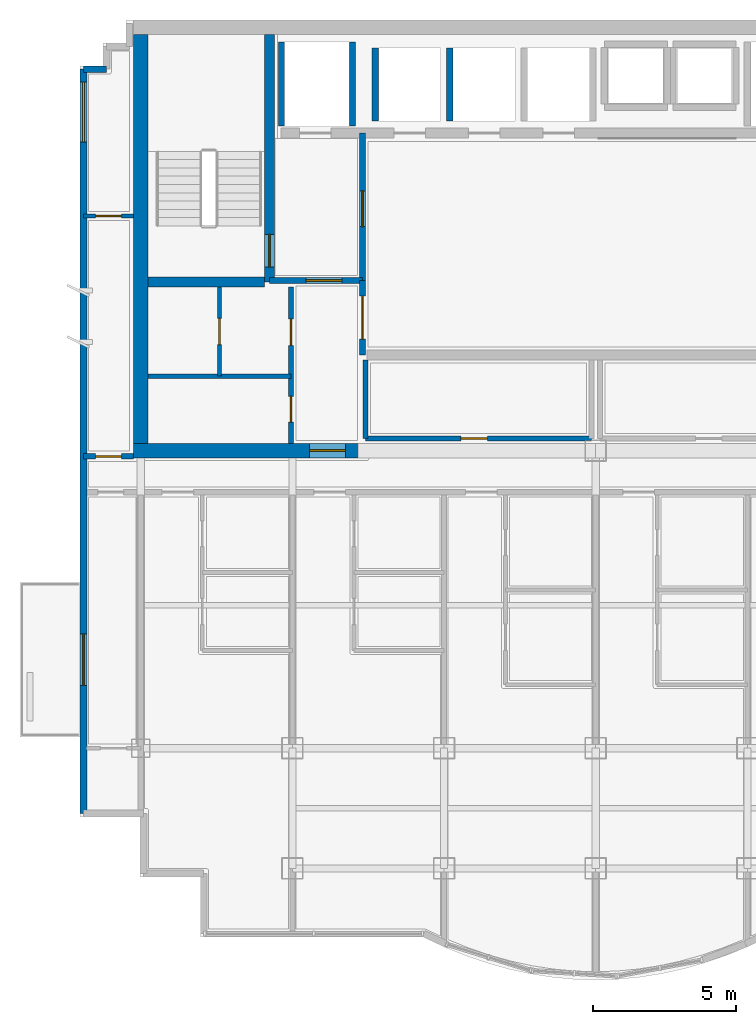
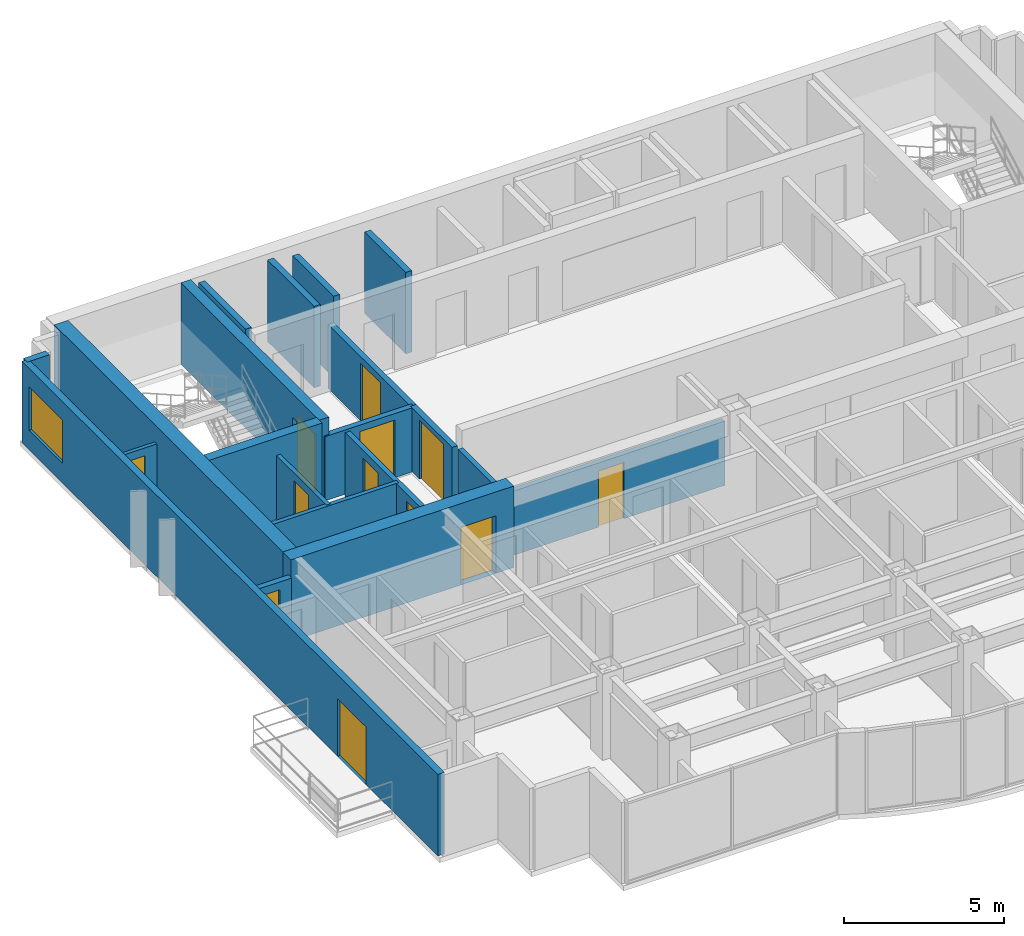
# One storey, part 4 of 9: 20 walls, 12 doors, 1 window, 13 openings.
"""IFC4 building model written with IfcOpenShell, lengths in metres."""

from ifc_helpers import new_model, si_unit, direction, frame, frame_2d, origin, place, context, subcontext, project, spatial, rectangle, extrude, material, layer, layer_set, type_object, element, fill, save


model = new_model("IFC4")

# Units and contexts
model_context = context("Model", 3, precision=1e-05, world=origin(), true_north=direction((0.0, 1.0)))
body_context = subcontext(model_context, "Body", "Model", "MODEL_VIEW")
ifc_project = project(units=[si_unit("LENGTHUNIT", "METRE"), si_unit("AREAUNIT", "SQUARE_METRE"), si_unit("VOLUMEUNIT", "CUBIC_METRE"), si_unit("PLANEANGLEUNIT", "RADIAN"), si_unit("MASSUNIT", "GRAM", prefix="KILO")], contexts=[model_context])

# Site, building, storey
site_placement = place(None, origin())
site = spatial("IfcSite", under=ifc_project, at=site_placement, CompositionType="ELEMENT")
building_placement = place(site_placement, origin())
building = spatial("IfcBuilding", under=site, at=building_placement, Name="Qianlan Lanfeng Residences", CompositionType="ELEMENT")
storey_placement = place(building_placement, frame((0.0, 0.0, 233.0)))
storey = spatial("IfcBuildingStorey", under=building, at=storey_placement, Name="L64", CompositionType="ELEMENT", Elevation=233.0)

# Wall, opening, door
ifc_material_1 = material(Name="Concrete C49", Category="concrete")
ifc_layer_1 = layer(ifc_material_1, 0.35009765625)
ifc_layer_set_1 = layer_set([ifc_layer_1], Name="Concrete C49")
wall_type_1 = type_object("IfcWallType", Name="CW-RC-350", PredefinedType="SHEAR", material=ifc_layer_set_1)
wall_1_placement = place(storey_placement, frame((15.10009765625, 31.10009765625, 0.0), z_axis=(0.0, 0.0, 1.0), x_axis=(0.0, 1.0, 0.0)))
wall_1 = element("IfcWall", 1, at=wall_1_placement, inside=storey, type_object=wall_type_1, Name="L64 Core Shear Wall ST1E", PredefinedType="SHEAR", context=body_context, shape_type="SweptSolid", body=[
    extrude(rectangle(XDim=8.64990234375, YDim=0.35009765625, at=frame_2d((4.324951171875, 0.0))), origin(), (0.0, 0.0, 1.0), 3.110107421875),
])
opening_1_placement = place(wall_1_placement, frame((0.510009765625, 0.0, 0.0)))
opening_1 = element("IfcOpeningElement", 2, at=opening_1_placement, cuts=wall_1, Name="Opening L64-D07", PredefinedType="OPENING", context=body_context, shape_type="SweptSolid", body=[
    extrude(rectangle(XDim=1.14990234375, YDim=2.199951171875, at=frame_2d((0.574951171875, 1.10009765625))), frame((0.0, 0.18505859375, 0.0), z_axis=(0.0, -1.0, 0.0), x_axis=(1.0, 0.0, 0.0)), (0.0, 0.0, 1.0), 0.3701171875),
])
ifc_material_2 = material(Name="Painted Galvanised Steel Fire Door", Category="steel")
door_type_1 = type_object("IfcDoorType", Name="DT-ST1", OperationType="NOTDEFINED", PredefinedType="DOOR", material=ifc_material_2)
door_1_placement = place(opening_1_placement, frame((1.14990234375, 0.0, 0.0), z_axis=(0.0, 0.0, 1.0), x_axis=(-1.0, 0.0, 0.0)))
door_1 = element("IfcDoor", 3, at=door_1_placement, inside=storey, type_object=door_type_1, Name="L64 Exit Stair ST-1 Door L64-D07 (DT-ST1)", OperationType="SINGLE_SWING_RIGHT", OverallHeight=2.199951171875, OverallWidth=1.14990234375, PredefinedType="DOOR", context=body_context, shape_type="SweptSolid", body=[
    extrude(rectangle(XDim=1.14990234375, YDim=2.199951171875, at=frame_2d((0.574951171875, 1.10009765625))), frame((0.0, 0.02490234375, 0.0), z_axis=(0.0, -1.0, 0.0), x_axis=(1.0, 0.0, 0.0)), (0.0, 0.0, 1.0), 0.050048828125),
])
fill(opening_1, door_1)

# Walls
wall_2_placement = place(storey_placement, frame((10.85009765625, 31.10009765625, 0.0), z_axis=(0.0, 0.0, 1.0), x_axis=(1.0, 0.0, 0.0)))
element("IfcWall", 4, at=wall_2_placement, inside=storey, type_object=wall_type_1, Name="L64 Core Shear Wall ST1S", PredefinedType="SHEAR", context=body_context, shape_type="SweptSolid", body=[
    extrude(rectangle(XDim=4.074951171875, YDim=0.35009765625, at=frame_2d((2.03759765625, 0.0))), origin(), (0.0, 0.0, 1.0), 3.110107421875),
])
ifc_material_3 = material(Name="Concrete C70", Category="concrete")
ifc_layer_2 = layer(ifc_material_3, 0.5)
ifc_layer_set_2 = layer_set([ifc_layer_2], Name="Concrete C70")
wall_type_2 = type_object("IfcWallType", Name="CW-RC-500", PredefinedType="SHEAR", material=ifc_layer_set_2)
wall_3_placement = place(storey_placement, frame((10.60009765625, 25.449951171875, 0.0), z_axis=(0.0, 0.0, 1.0), x_axis=(0.0, 1.0, 0.0)))
element("IfcWall", 5, at=wall_3_placement, inside=storey, type_object=wall_type_2, Name="L64 Core Shear Wall W", PredefinedType="SHEAR", context=body_context, shape_type="SweptSolid", body=[
    extrude(rectangle(XDim=14.300048828125, YDim=0.5, at=frame_2d((7.14990234375, 0.0))), origin(), (0.0, 0.0, 1.0), 3.110107421875),
])

# Wall, opening, door
wall_4_placement = place(storey_placement, frame((10.35009765625, 25.199951171875, 0.0), z_axis=(0.0, 0.0, 1.0), x_axis=(1.0, 0.0, 0.0)))
wall_4 = element("IfcWall", 6, at=wall_4_placement, inside=storey, type_object=wall_type_2, Name="L64 Core Shear Wall SW", PredefinedType="SHEAR", context=body_context, shape_type="SweptSolid", body=[
    extrude(rectangle(XDim=8.0498046875, YDim=0.5, at=frame_2d((4.02490234375, 0.0))), origin(), (0.0, 0.0, 1.0), 3.110107421875),
])
opening_2_placement = place(wall_4_placement, frame((6.14990234375, 0.0, 0.0)))
opening_2 = element("IfcOpeningElement", 7, at=opening_2_placement, cuts=wall_4, Name="Opening L64-D01", PredefinedType="OPENING", context=body_context, shape_type="SweptSolid", body=[
    extrude(rectangle(XDim=1.25, YDim=2.199951171875, at=frame_2d((0.625, 1.10009765625))), frame((0.0, 0.260009765625, 0.0), z_axis=(0.0, -1.0, 0.0), x_axis=(1.0, 0.0, 0.0)), (0.0, 0.0, 1.0), 0.52001953125),
])
door_type_2 = type_object("IfcDoorType", Name="DT-FFL", OperationType="NOTDEFINED", PredefinedType="DOOR", material=ifc_material_2)
door_2_placement = place(opening_2_placement, frame((1.25, 0.0, 0.0), z_axis=(0.0, 0.0, 1.0), x_axis=(-1.0, 0.0, 0.0)))
door_2 = element("IfcDoor", 8, at=door_2_placement, inside=storey, type_object=door_type_2, Name="L64 West Core Lobby Smoke Door L64-D01 (DT-FFL)", OperationType="SINGLE_SWING_RIGHT", OverallHeight=2.199951171875, OverallWidth=1.25, PredefinedType="DOOR", context=body_context, shape_type="SweptSolid", body=[
    extrude(rectangle(XDim=1.25, YDim=2.199951171875, at=frame_2d((0.625, 1.10009765625))), frame((0.0, 0.02490234375, 0.0), z_axis=(0.0, -1.0, 0.0), x_axis=(1.0, 0.0, 0.0)), (0.0, 0.0, 1.0), 0.050048828125),
])
fill(opening_2, door_2)

# Wall
ifc_material_4 = material(Name="Concrete C42", Category="concrete")
ifc_layer_3 = layer(ifc_material_4, 0.239990234375)
ifc_layer_set_3 = layer_set([ifc_layer_3], Name="Concrete C42")
wall_type_3 = type_object("IfcWallType", Name="EW-240", PredefinedType="SOLIDWALL", material=ifc_layer_set_3)
wall_5_placement = place(storey_placement, frame((9.39990234375, 38.530029296875, 0.0), z_axis=(0.0, 0.0, 1.0), x_axis=(-1.0, 0.0, 0.0)))
element("IfcWall", 9, at=wall_5_placement, inside=storey, type_object=wall_type_3, Name="L64 Exterior Facade Spandrel Wall 20", PredefinedType="SOLIDWALL", context=body_context, shape_type="SweptSolid", body=[
    extrude(rectangle(XDim=0.7998046875, YDim=0.239990234375, at=frame_2d((0.39990234375, 0.0))), origin(), (0.0, 0.0, 1.0), 3.110107421875),
])

# Wall, openings, door, window
wall_6_placement = place(storey_placement, frame((8.60009765625, 38.530029296875, 0.0), z_axis=(0.0, 0.0, 1.0), x_axis=(0.0, -1.0, 0.0)))
wall_6 = element("IfcWall", 10, at=wall_6_placement, inside=storey, type_object=wall_type_3, Name="L64 Terrace/Balcony Access Exterior Wall 21", PredefinedType="SOLIDWALL", context=body_context, shape_type="SweptSolid", body=[
    extrude(rectangle(XDim=26.010009765625, YDim=0.239990234375, at=frame_2d((13.0048828125, 0.0))), origin(), (0.0, 0.0, 1.0), 3.110107421875),
])
opening_3_placement = place(wall_6_placement, frame((19.72998046875, 0.0, 0.0)))
opening_3 = element("IfcOpeningElement", 11, at=opening_3_placement, cuts=wall_6, Name="Opening L64-D-WB-S", PredefinedType="OPENING", context=body_context, shape_type="SweptSolid", body=[
    extrude(rectangle(XDim=1.800048828125, YDim=2.199951171875, at=frame_2d((0.89990234375, 1.10009765625))), frame((0.0, 0.1298828125, 0.0), z_axis=(0.0, -1.0, 0.0), x_axis=(1.0, 0.0, 0.0)), (0.0, 0.0, 1.0), 0.260009765625),
])
opening_4_placement = place(wall_6_placement, frame((0.449951171875, 0.0, 0.75)))
opening_4 = element("IfcOpeningElement", 12, at=opening_4_placement, cuts=wall_6, Name="Opening W-06", PredefinedType="OPENING", context=body_context, shape_type="SweptSolid", body=[
    extrude(rectangle(XDim=2.10009765625, YDim=1.64990234375, at=frame_2d((1.050048828125, 0.824951171875))), frame((0.0, 0.1298828125, 0.0), z_axis=(0.0, -1.0, 0.0), x_axis=(1.0, 0.0, 0.0)), (0.0, 0.0, 1.0), 0.260009765625),
])
ifc_material_5 = material(Name="Anodised Bronze Aluminium Framed Glass", Category="aluminium")
door_type_3 = type_object("IfcDoorType", Name="DT-BAL1", OperationType="NOTDEFINED", PredefinedType="DOOR", material=ifc_material_5)
door_3_placement = place(opening_3_placement, frame((1.800048828125, 0.0, 0.0), z_axis=(0.0, 0.0, 1.0), x_axis=(-1.0, 0.0, 0.0)))
door_3 = element("IfcDoor", 13, at=door_3_placement, inside=storey, type_object=door_type_3, Name="L64 Exterior Access Door WB-S", OperationType="DOUBLE_DOOR_SLIDING", OverallHeight=2.199951171875, OverallWidth=1.800048828125, PredefinedType="DOOR", context=body_context, shape_type="SweptSolid", body=[
    extrude(rectangle(XDim=1.800048828125, YDim=2.199951171875, at=frame_2d((0.89990234375, 1.10009765625))), frame((0.0, 0.02490234375, 0.0), z_axis=(0.0, -1.0, 0.0), x_axis=(1.0, 0.0, 0.0)), (0.0, 0.0, 1.0), 0.050048828125),
])
fill(opening_3, door_3)
ifc_material_6 = material(Name="Anodised Bronze Aluminium Framed Double Glazing", Category="aluminium")
window_type = type_object("IfcWindowType", Name="W-06", PartitioningType="SINGLE_PANEL", PredefinedType="WINDOW", material=ifc_material_6)
window_placement = place(opening_4_placement, origin())
window = element("IfcWindow", 14, at=window_placement, inside=storey, type_object=window_type, Name="L64 Exterior Window W-06", OverallHeight=1.64990234375, OverallWidth=2.10009765625, PartitioningType="SINGLE_PANEL", PredefinedType="WINDOW", context=body_context, shape_type="SweptSolid", body=[
    extrude(rectangle(XDim=2.10009765625, YDim=1.64990234375, at=frame_2d((1.050048828125, 0.824951171875))), frame((0.0, 0.030029296875, 0.0), z_axis=(0.0, -1.0, 0.0), x_axis=(1.0, 0.0, 0.0)), (0.0, 0.0, 1.0), 0.06005859375),
])
fill(opening_4, window)

# Wall, opening, door
ifc_material_7 = material(Name="Moisture-Resistant Gypsum Partition 135 mm")
ifc_layer_4 = layer(ifc_material_7, 0.135009765625)
ifc_layer_set_4 = layer_set([ifc_layer_4], Name="Moisture-Resistant Gypsum Partition 135 mm")
wall_type_4 = type_object("IfcWallType", Name="PW-135", PredefinedType="PARTITIONING", material=ifc_layer_set_4)
wall_7_placement = place(storey_placement, frame((8.60009765625, 33.39990234375, 0.0), z_axis=(0.0, 0.0, 1.0), x_axis=(1.0, 0.0, 0.0)))
wall_7 = element("IfcWall", 15, at=wall_7_placement, inside=storey, type_object=wall_type_4, Name="L64 WW North Wing Wall", PredefinedType="PARTITIONING", context=body_context, shape_type="SweptSolid", body=[
    extrude(rectangle(XDim=1.75, YDim=0.135009765625, at=frame_2d((0.875, 0.0))), origin(), (0.0, 0.0, 1.0), 2.449951171875),
])
opening_5_placement = place(wall_7_placement, frame((0.425048828125, 0.0, 0.0)))
opening_5 = element("IfcOpeningElement", 16, at=opening_5_placement, cuts=wall_7, Name="Opening L64-D40", PredefinedType="OPENING", context=body_context, shape_type="SweptSolid", body=[
    extrude(rectangle(XDim=0.89990234375, YDim=2.14990234375, at=frame_2d((0.449951171875, 1.074951171875))), frame((0.0, 0.07763671875, 0.0), z_axis=(0.0, -1.0, 0.0), x_axis=(1.0, 0.0, 0.0)), (0.0, 0.0, 1.0), 0.155029296875),
])
ifc_material_8 = material(Name="Moisture-Resistant Timber Leaf", Category="wood")
door_type_4 = type_object("IfcDoorType", Name="DT-WC", OperationType="NOTDEFINED", PredefinedType="DOOR", material=ifc_material_8)
door_4_placement = place(opening_5_placement, origin())
door_4 = element("IfcDoor", 17, at=door_4_placement, inside=storey, type_object=door_type_4, Name="L64 WW Inner Salon Door L64-D40 (DT-WC)", OperationType="SINGLE_SWING_LEFT", OverallHeight=2.14990234375, OverallWidth=0.89990234375, PredefinedType="DOOR", context=body_context, shape_type="SweptSolid", body=[
    extrude(rectangle(XDim=0.89990234375, YDim=2.14990234375, at=frame_2d((0.449951171875, 1.074951171875))), frame((0.0, 0.02490234375, 0.0), z_axis=(0.0, -1.0, 0.0), x_axis=(1.0, 0.0, 0.0)), (0.0, 0.0, 1.0), 0.050048828125),
])
fill(opening_5, door_4)

# Wall
ifc_material_9 = material(Name="Acoustic Drywall Partition 150 mm")
ifc_layer_5 = layer(ifc_material_9, 0.14990234375)
ifc_layer_set_5 = layer_set([ifc_layer_5], Name="Acoustic Drywall Partition 150 mm")
wall_type_5 = type_object("IfcWallType", Name="PW-150", PredefinedType="PARTITIONING", material=ifc_layer_set_5)
wall_8_placement = place(storey_placement, frame((10.85009765625, 27.800048828125, 0.0), z_axis=(0.0, 0.0, 1.0), x_axis=(1.0, 0.0, 0.0)))
element("IfcWall", 18, at=wall_8_placement, inside=storey, type_object=wall_type_5, Name="L64 Core West H4", PredefinedType="PARTITIONING", context=body_context, shape_type="SweptSolid", body=[
    extrude(rectangle(XDim=5.0, YDim=0.14990234375, at=frame_2d((2.5, 0.0))), origin(), (0.0, 0.0, 1.0), 2.449951171875),
])

# Wall, opening, door
wall_9_placement = place(storey_placement, frame((13.35009765625, 27.800048828125, 0.0), z_axis=(0.0, 0.0, 1.0), x_axis=(0.0, 1.0, 0.0)))
wall_9 = element("IfcWall", 19, at=wall_9_placement, inside=storey, type_object=wall_type_5, Name="L64 Core West V4", PredefinedType="PARTITIONING", context=body_context, shape_type="SweptSolid", body=[
    extrude(rectangle(XDim=3.125, YDim=0.14990234375, at=frame_2d((1.5625, 0.0))), origin(), (0.0, 0.0, 1.0), 2.449951171875),
])
opening_6_placement = place(wall_9_placement, frame((1.10302734375, 0.0, 0.0)))
opening_6 = element("IfcOpeningElement", 20, at=opening_6_placement, cuts=wall_9, Name="Opening L64-D11", PredefinedType="OPENING", context=body_context, shape_type="SweptSolid", body=[
    extrude(rectangle(XDim=0.919921875, YDim=2.14990234375, at=frame_2d((0.4599609375, 1.074951171875))), frame((0.0, 0.0849609375, 0.0), z_axis=(0.0, -1.0, 0.0), x_axis=(1.0, 0.0, 0.0)), (0.0, 0.0, 1.0), 0.169921875),
])
ifc_material_10 = material(Name="Glazed Timber Kitchen/Study Door", Category="wood")
door_type_5 = type_object("IfcDoorType", Name="DT-INT", OperationType="NOTDEFINED", PredefinedType="DOOR", material=ifc_material_10)
door_5_placement = place(opening_6_placement, origin())
door_5 = element("IfcDoor", 21, at=door_5_placement, inside=storey, type_object=door_type_5, Name="L64 Linen Store Door L64-D11 (DT-INT)", OperationType="SINGLE_SWING_LEFT", OverallHeight=2.14990234375, OverallWidth=0.919921875, PredefinedType="DOOR", context=body_context, shape_type="SweptSolid", body=[
    extrude(rectangle(XDim=0.919921875, YDim=2.14990234375, at=frame_2d((0.4599609375, 1.074951171875))), frame((0.0, 0.02490234375, 0.0), z_axis=(0.0, -1.0, 0.0), x_axis=(1.0, 0.0, 0.0)), (0.0, 0.0, 1.0), 0.050048828125),
])
fill(opening_6, door_5)

# Wall, openings, doors
ifc_material_11 = material(Name="Double-Layer Acoustic Gypsum Stud Wall 180 mm")
ifc_layer_6 = layer(ifc_material_11, 0.179931640625)
ifc_layer_set_6 = layer_set([ifc_layer_6], Name="Double-Layer Acoustic Gypsum Stud Wall 180 mm")
wall_type_6 = type_object("IfcWallType", Name="PW-180", PredefinedType="PARTITIONING", material=ifc_layer_set_6)
wall_10_placement = place(storey_placement, frame((15.85009765625, 25.449951171875, 0.0), z_axis=(0.0, 0.0, 1.0), x_axis=(0.0, 1.0, 0.0)))
wall_10 = element("IfcWall", 22, at=wall_10_placement, inside=storey, type_object=wall_type_6, Name="L64 Core West Service Room Wall", PredefinedType="PARTITIONING", context=body_context, shape_type="SweptSolid", body=[
    extrude(rectangle(XDim=5.47509765625, YDim=0.179931640625, at=frame_2d((2.737548828125, 0.0))), origin(), (0.0, 0.0, 1.0), 2.449951171875),
])
opening_7_placement = place(wall_10_placement, frame((0.75, 0.0, 0.0)))
opening_7 = element("IfcOpeningElement", 23, at=opening_7_placement, cuts=wall_10, Name="Opening L64-D09", PredefinedType="OPENING", context=body_context, shape_type="SweptSolid", body=[
    extrude(rectangle(XDim=0.89990234375, YDim=2.14990234375, at=frame_2d((0.449951171875, 1.074951171875))), frame((0.0, 0.10009765625, 0.0), z_axis=(0.0, -1.0, 0.0), x_axis=(1.0, 0.0, 0.0)), (0.0, 0.0, 1.0), 0.199951171875),
])
opening_8_placement = place(wall_10_placement, frame((3.427001953125, 0.0, 0.0)))
opening_8 = element("IfcOpeningElement", 24, at=opening_8_placement, cuts=wall_10, Name="Opening L64-D10", PredefinedType="OPENING", context=body_context, shape_type="SweptSolid", body=[
    extrude(rectangle(XDim=0.919921875, YDim=2.14990234375, at=frame_2d((0.4599609375, 1.074951171875))), frame((0.0, 0.10009765625, 0.0), z_axis=(0.0, -1.0, 0.0), x_axis=(1.0, 0.0, 0.0)), (0.0, 0.0, 1.0), 0.199951171875),
])
door_6_placement = place(opening_8_placement, origin())
door_6 = element("IfcDoor", 25, at=door_6_placement, inside=storey, type_object=door_type_5, Name="L64 Janitor Hall Door L64-D10 (DT-INT)", OperationType="SINGLE_SWING_RIGHT", OverallHeight=2.14990234375, OverallWidth=0.919921875, PredefinedType="DOOR", context=body_context, shape_type="SweptSolid", body=[
    extrude(rectangle(XDim=0.919921875, YDim=2.14990234375, at=frame_2d((0.4599609375, 1.074951171875))), frame((0.0, 0.02490234375, 0.0), z_axis=(0.0, -1.0, 0.0), x_axis=(1.0, 0.0, 0.0)), (0.0, 0.0, 1.0), 0.050048828125),
])
fill(opening_8, door_6)
door_7_placement = place(opening_7_placement, origin())
door_7 = element("IfcDoor", 26, at=door_7_placement, inside=storey, type_object=door_type_4, Name="L64 Staff WC Door L64-D09 (DT-WC)", OperationType="SINGLE_SWING_LEFT", OverallHeight=2.14990234375, OverallWidth=0.89990234375, PredefinedType="DOOR", context=body_context, shape_type="SweptSolid", body=[
    extrude(rectangle(XDim=0.89990234375, YDim=2.14990234375, at=frame_2d((0.449951171875, 1.074951171875))), frame((0.0, 0.02490234375, 0.0), z_axis=(0.0, -1.0, 0.0), x_axis=(1.0, 0.0, 0.0)), (0.0, 0.0, 1.0), 0.050048828125),
])
fill(opening_7, door_7)

# Wall
wall_11_placement = place(storey_placement, frame((18.449951171875, 25.6201171875, 0.0), z_axis=(0.0, 0.0, 1.0), x_axis=(0.0, 1.0, 0.0)))
element("IfcWall", 27, at=wall_11_placement, inside=storey, type_object=wall_type_6, Name="L64 Reclaimed Low-Bank Room West Wall", PredefinedType="PARTITIONING", context=body_context, shape_type="SweptSolid", body=[
    extrude(rectangle(XDim=2.7548828125, YDim=0.179931640625, at=frame_2d((1.37744140625, 0.0))), origin(), (0.0, 0.0, 1.0), 2.449951171875),
])

# Wall, opening, door
wall_12_placement = place(storey_placement, frame((18.449951171875, 25.6201171875, 0.0), z_axis=(0.0, 0.0, 1.0), x_axis=(1.0, 0.0, 0.0)))
wall_12 = element("IfcWall", 28, at=wall_12_placement, inside=storey, type_object=wall_type_6, Name="L64 Reclaimed Low-Bank Room South Wall", PredefinedType="PARTITIONING", context=body_context, shape_type="SweptSolid", body=[
    extrude(rectangle(XDim=7.900146484375, YDim=0.179931640625, at=frame_2d((3.9501953125, 0.0))), origin(), (0.0, 0.0, 1.0), 2.449951171875),
])
opening_9_placement = place(wall_12_placement, frame((3.340087890625, 0.0, 0.0)))
opening_9 = element("IfcOpeningElement", 29, at=opening_9_placement, cuts=wall_12, Name="Opening L64-D16", PredefinedType="OPENING", context=body_context, shape_type="SweptSolid", body=[
    extrude(rectangle(XDim=0.919921875, YDim=2.14990234375, at=frame_2d((0.4599609375, 1.074951171875))), frame((0.0, 0.10009765625, 0.0), z_axis=(0.0, -1.0, 0.0), x_axis=(1.0, 0.0, 0.0)), (0.0, 0.0, 1.0), 0.199951171875),
])
door_8_placement = place(opening_9_placement, origin())
door_8 = element("IfcDoor", 30, at=door_8_placement, inside=storey, type_object=door_type_5, Name="L64 Reclaimed Core Salon Door L64-D16 (DT-INT)", OperationType="SINGLE_SWING_RIGHT", OverallHeight=2.14990234375, OverallWidth=0.919921875, PredefinedType="DOOR", context=body_context, shape_type="SweptSolid", body=[
    extrude(rectangle(XDim=0.919921875, YDim=2.14990234375, at=frame_2d((0.4599609375, 1.074951171875))), frame((0.0, 0.02490234375, 0.0), z_axis=(0.0, -1.0, 0.0), x_axis=(1.0, 0.0, 0.0)), (0.0, 0.0, 1.0), 0.050048828125),
])
fill(opening_9, door_8)

ifc_material_12 = material(Name="Autoclaved Aerated Concrete Blockwork 200 mm", Category="masonry")
ifc_layer_7 = layer(ifc_material_12, 0.199951171875)
ifc_layer_set_7 = layer_set([ifc_layer_7], Name="Autoclaved Aerated Concrete Blockwork 200 mm")
wall_type_7 = type_object("IfcWallType", Name="PW-200", PredefinedType="PARTITIONING", material=ifc_layer_set_7)
wall_13_placement = place(storey_placement, frame((15.10009765625, 31.14990234375, 0.0), z_axis=(0.0, 0.0, 1.0), x_axis=(1.0, 0.0, 0.0)))
wall_13 = element("IfcWall", 31, at=wall_13_placement, inside=storey, type_object=wall_type_7, Name="L64 Firefighting Lobby 1 South Wall", PredefinedType="PARTITIONING", context=body_context, shape_type="SweptSolid", body=[
    extrude(rectangle(XDim=3.25, YDim=0.199951171875, at=frame_2d((1.625, 0.0))), origin(), (0.0, 0.0, 1.0), 2.449951171875),
])
opening_10_placement = place(wall_13_placement, frame((1.27490234375, 0.0, 0.0)))
opening_10 = element("IfcOpeningElement", 32, at=opening_10_placement, cuts=wall_13, Name="Opening L64-D03", PredefinedType="OPENING", context=body_context, shape_type="SweptSolid", body=[
    extrude(rectangle(XDim=1.25, YDim=2.199951171875, at=frame_2d((0.625, 1.10009765625))), frame((0.0, 0.10986328125, 0.0), z_axis=(0.0, -1.0, 0.0), x_axis=(1.0, 0.0, 0.0)), (0.0, 0.0, 1.0), 0.219970703125),
])
door_9_placement = place(opening_10_placement, origin())
door_9 = element("IfcDoor", 33, at=door_9_placement, inside=storey, type_object=door_type_2, Name="L64 Firefighting Lobby 1 Entry Door L64-D03 (DT-FFL)", OperationType="SINGLE_SWING_LEFT", OverallHeight=2.199951171875, OverallWidth=1.25, PredefinedType="DOOR", context=body_context, shape_type="SweptSolid", body=[
    extrude(rectangle(XDim=1.25, YDim=2.199951171875, at=frame_2d((0.625, 1.10009765625))), frame((0.0, 0.02490234375, 0.0), z_axis=(0.0, -1.0, 0.0), x_axis=(1.0, 0.0, 0.0)), (0.0, 0.0, 1.0), 0.050048828125),
])
fill(opening_10, door_9)

wall_14_placement = place(storey_placement, frame((18.35009765625, 31.14990234375, 0.0), z_axis=(0.0, 0.0, 1.0), x_axis=(0.0, 1.0, 0.0)))
wall_14 = element("IfcWall", 34, at=wall_14_placement, inside=storey, type_object=wall_type_7, Name="L64 Firefighting Lobby 1 East Wall", PredefinedType="PARTITIONING", context=body_context, shape_type="SweptSolid", body=[
    extrude(rectangle(XDim=5.150146484375, YDim=0.199951171875, at=frame_2d((2.5751953125, 0.0))), origin(), (0.0, 0.0, 1.0), 2.449951171875),
])
opening_11_placement = place(wall_14_placement, frame((1.875, 0.0, 0.0)))
opening_11 = element("IfcOpeningElement", 35, at=opening_11_placement, cuts=wall_14, Name="Opening L64-D04", PredefinedType="OPENING", context=body_context, shape_type="SweptSolid", body=[
    extrude(rectangle(XDim=1.25, YDim=2.199951171875, at=frame_2d((0.625, 1.10009765625))), frame((0.0, 0.10986328125, 0.0), z_axis=(0.0, -1.0, 0.0), x_axis=(1.0, 0.0, 0.0)), (0.0, 0.0, 1.0), 0.219970703125),
])
door_10_placement = place(opening_11_placement, origin())
door_10 = element("IfcDoor", 36, at=door_10_placement, inside=storey, type_object=door_type_2, Name="L64 Firefighting Lobby 1 Lift Lobby Door L64-D04 (DT-FFL)", OperationType="SINGLE_SWING_RIGHT", OverallHeight=2.199951171875, OverallWidth=1.25, PredefinedType="DOOR", context=body_context, shape_type="SweptSolid", body=[
    extrude(rectangle(XDim=1.25, YDim=2.199951171875, at=frame_2d((0.625, 1.10009765625))), frame((0.0, 0.02490234375, 0.0), z_axis=(0.0, -1.0, 0.0), x_axis=(1.0, 0.0, 0.0)), (0.0, 0.0, 1.0), 0.050048828125),
])
fill(opening_11, door_10)

wall_15_placement = place(storey_placement, frame((18.35009765625, 28.550048828125, 0.0), z_axis=(0.0, 0.0, 1.0), x_axis=(0.0, 1.0, 0.0)))
wall_15 = element("IfcWall", 37, at=wall_15_placement, inside=storey, type_object=wall_type_7, Name="L64 Lift Lobby West Connector Wall", PredefinedType="PARTITIONING", context=body_context, shape_type="SweptSolid", body=[
    extrude(rectangle(XDim=2.599853515625, YDim=0.199951171875, at=frame_2d((1.2998046875, 0.0))), origin(), (0.0, 0.0, 1.0), 2.449951171875),
])
opening_12_placement = place(wall_15_placement, frame((0.550048828125, 0.0, 0.0)))
opening_12 = element("IfcOpeningElement", 38, at=opening_12_placement, cuts=wall_15, Name="Opening L64-D14", PredefinedType="OPENING", context=body_context, shape_type="SweptSolid", body=[
    extrude(rectangle(XDim=1.5, YDim=2.25, at=frame_2d((0.75, 1.125))), frame((0.0, 0.10986328125, 0.0), z_axis=(0.0, -1.0, 0.0), x_axis=(1.0, 0.0, 0.0)), (0.0, 0.0, 1.0), 0.219970703125),
])
ifc_material_13 = material(Name="Timber Veneer Acoustic Fire Door", Category="wood")
door_type_6 = type_object("IfcDoorType", Name="DT-COR1", OperationType="NOTDEFINED", PredefinedType="DOOR", material=ifc_material_13)
door_11_placement = place(opening_12_placement, origin())
door_11 = element("IfcDoor", 39, at=door_11_placement, inside=storey, type_object=door_type_6, Name="L64 Lift Lobby West Portal Door L64-D14 (DT-COR1)", OperationType="DOUBLE_DOOR_SINGLE_SWING", OverallHeight=2.25, OverallWidth=1.5, PredefinedType="DOOR", context=body_context, shape_type="SweptSolid", body=[
    extrude(rectangle(XDim=1.5, YDim=2.25, at=frame_2d((0.75, 1.125))), frame((0.0, 0.02490234375, 0.0), z_axis=(0.0, -1.0, 0.0), x_axis=(1.0, 0.0, 0.0)), (0.0, 0.0, 1.0), 0.050048828125),
])
fill(opening_12, door_11)

wall_16_placement = place(storey_placement, frame((8.60009765625, 25.0, 0.0), z_axis=(0.0, 0.0, 1.0), x_axis=(1.0, 0.0, 0.0)))
wall_16 = element("IfcWall", 40, at=wall_16_placement, inside=storey, type_object=wall_type_7, Name="L64 Corridor NW Wall", PredefinedType="PARTITIONING", context=body_context, shape_type="SweptSolid", body=[
    extrude(rectangle(XDim=1.75, YDim=0.199951171875, at=frame_2d((0.875, 0.0))), origin(), (0.0, 0.0, 1.0), 2.449951171875),
])
opening_13_placement = place(wall_16_placement, frame((0.425048828125, 0.0, 0.0)))
opening_13 = element("IfcOpeningElement", 41, at=opening_13_placement, cuts=wall_16, Name="Opening L64-D41", PredefinedType="OPENING", context=body_context, shape_type="SweptSolid", body=[
    extrude(rectangle(XDim=0.89990234375, YDim=2.14990234375, at=frame_2d((0.449951171875, 1.074951171875))), frame((0.0, 0.10986328125, 0.0), z_axis=(0.0, -1.0, 0.0), x_axis=(1.0, 0.0, 0.0)), (0.0, 0.0, 1.0), 0.219970703125),
])
door_12_placement = place(opening_13_placement, frame((0.89990234375, 0.0, 0.0), z_axis=(0.0, 0.0, 1.0), x_axis=(-1.0, 0.0, 0.0)))
door_12 = element("IfcDoor", 42, at=door_12_placement, inside=storey, type_object=door_type_4, Name="L64 WW Amenity Salon Door L64-D41 (DT-WC)", OperationType="SINGLE_SWING_RIGHT", OverallHeight=2.14990234375, OverallWidth=0.89990234375, PredefinedType="DOOR", context=body_context, shape_type="SweptSolid", body=[
    extrude(rectangle(XDim=0.89990234375, YDim=2.14990234375, at=frame_2d((0.449951171875, 1.074951171875))), frame((0.0, 0.02490234375, 0.0), z_axis=(0.0, -1.0, 0.0), x_axis=(1.0, 0.0, 0.0)), (0.0, 0.0, 1.0), 0.050048828125),
])
fill(opening_13, door_12)

# Walls
ifc_layer_8 = layer(ifc_material_1, 0.219970703125)
ifc_layer_set_8 = layer_set([ifc_layer_8], Name="Concrete C49")
wall_type_8 = type_object("IfcWallType", Name="SHW-220", PredefinedType="SOLIDWALL", material=ifc_layer_set_8)
for number, where, z_axis, x_axis, name in (
    (43, (15.52001953125, 36.550048828125, 0.0), (0.0, 0.0, 1.0), (0.0, 1.0, 0.0), "L64 Lift FFL-1 Shaft Wall W"),
    (44, (18.0, 36.550048828125, 0.0), (0.0, 0.0, 1.0), (0.0, 1.0, 0.0), "L64 Lift FFL-1 Shaft Wall E"),
):
    element("IfcWall", number, at=place(storey_placement, frame(where, z_axis=z_axis, x_axis=x_axis)), inside=storey, type_object=wall_type_8, Name=name, PredefinedType="SOLIDWALL", context=body_context, shape_type="SweptSolid", body=[
        extrude(rectangle(XDim=2.929931640625, YDim=0.219970703125, at=frame_2d((1.46484375, 0.0))), origin(), (0.0, 0.0, 1.0), 3.110107421875),
    ])
for number, where, z_axis, x_axis, name in (
    (45, (18.800048828125, 36.719970703125, 0.0), (0.0, 0.0, 1.0), (0.0, 1.0, 0.0), "L64 Lift PL-H1 Shaft Wall W"),
    (46, (21.39990234375, 36.719970703125, 0.0), (0.0, 0.0, 1.0), (0.0, 1.0, 0.0), "L64 Lift PL-H2 Shaft Wall W"),
):
    element("IfcWall", number, at=place(storey_placement, frame(where, z_axis=z_axis, x_axis=x_axis)), inside=storey, type_object=wall_type_8, Name=name, PredefinedType="SOLIDWALL", context=body_context, shape_type="SweptSolid", body=[
        extrude(rectangle(XDim=2.56005859375, YDim=0.219970703125, at=frame_2d((1.280029296875, 0.0))), origin(), (0.0, 0.0, 1.0), 3.110107421875),
    ])

save(model, "model.ifc")
